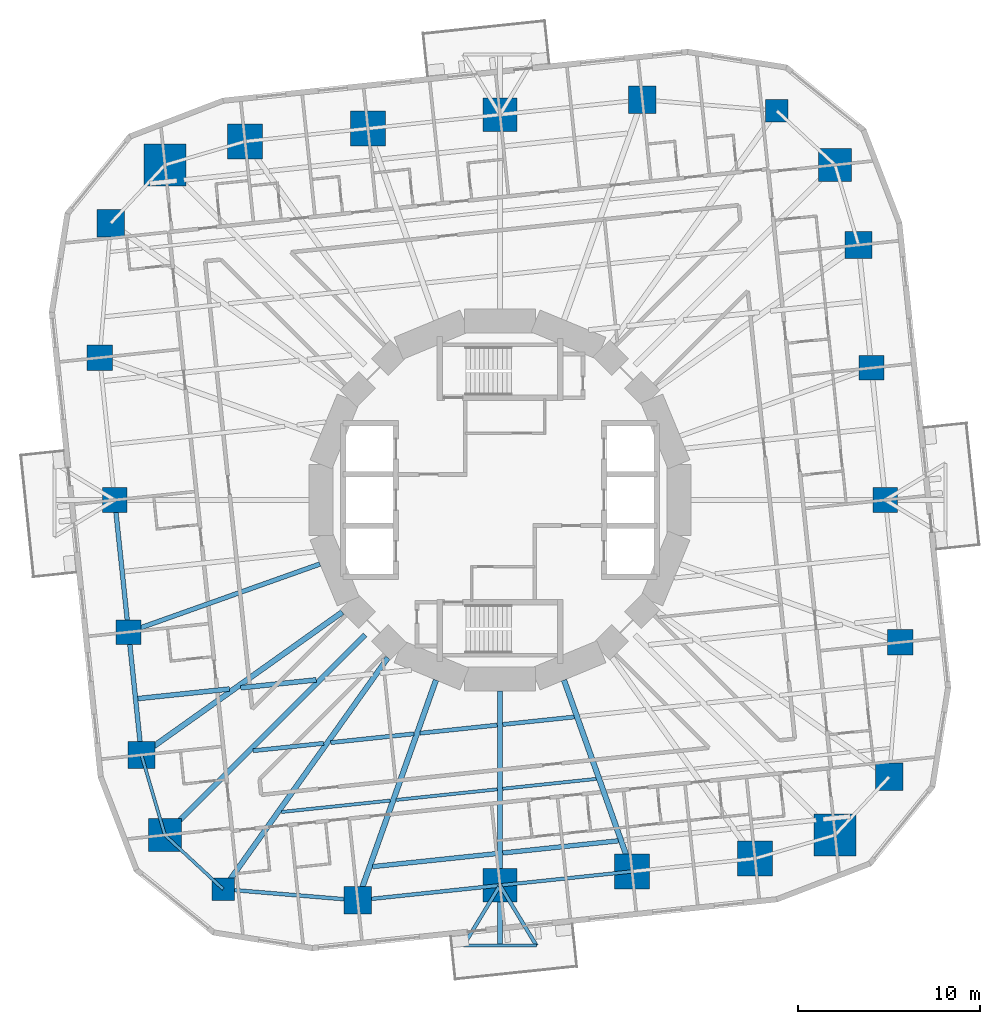
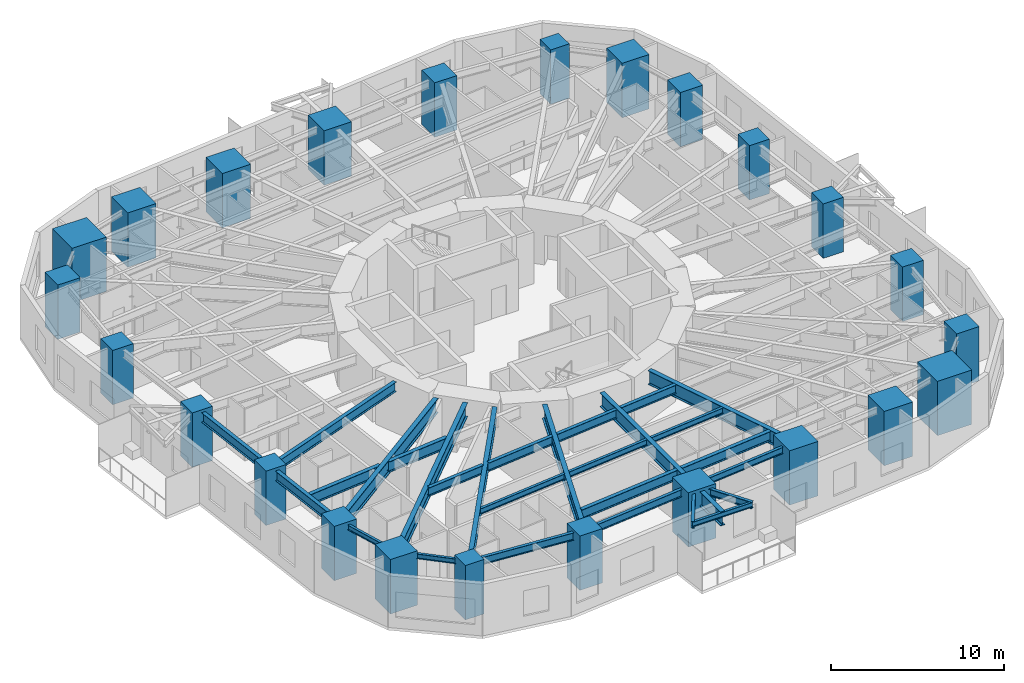
# One storey, part 1 of 13: 28 beams, 24 columns.
"""IFC4 building model written with IfcOpenShell, lengths in metres."""

from ifc_helpers import new_model, si_unit, direction, frame, origin, origin_2d, place, context, subcontext, project, spatial, rectangle, i_section, extrude, material, material_profile, profile_set, type_object, element, save


model = new_model("IFC4")

# Units and contexts
model_context = context("Model", 3, precision=1e-05, world=origin(), true_north=direction((0.0, 1.0)))
body_context = subcontext(model_context, "Body", "Model", "MODEL_VIEW")
ifc_project = project(units=[si_unit("LENGTHUNIT", "METRE"), si_unit("AREAUNIT", "SQUARE_METRE"), si_unit("VOLUMEUNIT", "CUBIC_METRE"), si_unit("PLANEANGLEUNIT", "RADIAN"), si_unit("MASSUNIT", "GRAM", prefix="KILO")], contexts=[model_context])

# Site, building, storey
site_placement = place(None, origin())
site = spatial("IfcSite", under=ifc_project, at=site_placement, CompositionType="ELEMENT")
building_placement = place(site_placement, origin())
building = spatial("IfcBuilding", under=site, at=building_placement, Name="Nakasero Lantern House", CompositionType="ELEMENT")
storey_placement = place(building_placement, frame((0.0, 0.0, 79.75)))
storey = spatial("IfcBuildingStorey", under=building, at=storey_placement, Name="L19", CompositionType="ELEMENT", Elevation=79.75)

# Columns
ifc_material_1 = material(Name="Concrete C50/60", Category="concrete")
ifc_material_profile_1 = material_profile(ifc_material_1, rectangle(XDim=1.800048828125, YDim=1.800048828125, at=origin_2d()), Name="RC 1800x1800")
ifc_profile_set_1 = profile_set([ifc_material_profile_1], Name="Concrete C50/60")
column_type_1 = type_object("IfcColumnType", Name="Mega column RC 1800x1800 C50/60", PredefinedType="COLUMN", material=ifc_profile_set_1)
for number, where, z_axis, x_axis, name in (
    (1, (18.359375, 18.359375, 0.0), (0.0, 0.0, 1.0), (1.0, 0.0, 0.0), "Column B2-C06 L19"),
    (2, (-18.359375, -18.359375, 0.0), (0.0, 0.0, 1.0), (1.0, 0.0, 0.0), "Column B2-C18 L19"),
):
    element("IfcColumn", number, at=place(storey_placement, frame(where, z_axis=z_axis, x_axis=x_axis)), inside=storey, type_object=column_type_1, Name=name, PredefinedType="COLUMN", context=body_context, shape_type="SweptSolid", body=[
        extrude(rectangle(XDim=1.800048828125, YDim=1.800048828125, at=origin_2d()), origin(), (0.0, 0.0, 1.0), 3.85009765625),
    ])
ifc_material_2 = material(Name="Concrete C50/60", Category="concrete")
ifc_material_profile_2 = material_profile(ifc_material_2, rectangle(XDim=2.300048828125, YDim=2.300048828125, at=origin_2d()), Name="RC 2300x2300")
ifc_profile_set_2 = profile_set([ifc_material_profile_2], Name="Concrete C50/60")
column_type_2 = type_object("IfcColumnType", Name="Mega column RC 2300x2300 C50/60", PredefinedType="COLUMN", material=ifc_profile_set_2)
for number, where, z_axis, x_axis, name in (
    (3, (-18.359375, 18.359375, 0.0), (0.0, 0.0, 1.0), (1.0, 0.0, 0.0), "Column B2-C12 L19"),
    (4, (18.359375, -18.359375, 0.0), (0.0, 0.0, 1.0), (1.0, 0.0, 0.0), "Column B2-C24 L19"),
):
    element("IfcColumn", number, at=place(storey_placement, frame(where, z_axis=z_axis, x_axis=x_axis)), inside=storey, type_object=column_type_2, Name=name, PredefinedType="COLUMN", context=body_context, shape_type="SweptSolid", body=[
        extrude(rectangle(XDim=2.300048828125, YDim=2.300048828125, at=origin_2d()), origin(), (0.0, 0.0, 1.0), 3.85009765625),
    ])
ifc_material_3 = material(Name="Concrete C50/60", Category="concrete")
ifc_material_profile_3 = material_profile(ifc_material_3, rectangle(XDim=1.25, YDim=1.25, at=origin_2d()), Name="RC 1250x1250")
ifc_profile_set_3 = profile_set([ifc_material_profile_3], Name="Concrete C50/60")
column_type_3 = type_object("IfcColumnType", Name="Ring column RC 1250x1250 C50/60", PredefinedType="COLUMN", material=ifc_profile_set_3)
for number, where, z_axis, x_axis, name in (
    (5, (15.16650390625, 21.327880859375, 0.0), (0.0, 0.0, 1.0), (1.0, 0.0, 0.0), "Column B2-C07 L19"),
    (6, (-15.16650390625, -21.327880859375, 0.0), (0.0, 0.0, 1.0), (1.0, 0.0, 0.0), "Column B2-C19 L19"),
):
    element("IfcColumn", number, at=place(storey_placement, frame(where, z_axis=z_axis, x_axis=x_axis)), inside=storey, type_object=column_type_3, Name=name, PredefinedType="COLUMN", context=body_context, shape_type="SweptSolid", body=[
        extrude(rectangle(XDim=1.25, YDim=1.25, at=origin_2d()), origin(), (0.0, 0.0, 1.0), 3.85009765625),
    ])
ifc_material_4 = material(Name="Concrete C50/60", Category="concrete")
ifc_material_profile_4 = material_profile(ifc_material_4, rectangle(XDim=1.35009765625, YDim=1.35009765625, at=origin_2d()), Name="RC 1350x1350")
ifc_profile_set_4 = profile_set([ifc_material_profile_4], Name="Concrete C50/60")
column_type_4 = type_object("IfcColumnType", Name="Ring column RC 1350x1350 C50/60", PredefinedType="COLUMN", material=ifc_profile_set_4)
for number, where, z_axis, x_axis, name in (
    (7, (21.11572265625, 0.0, 0.0), (0.0, 0.0, 1.0), (1.0, 0.0, 0.0), "Column B2-C03 L19"),
    (8, (20.35498046875, 7.2373046875, 0.0), (0.0, 0.0, 1.0), (1.0, 0.0, 0.0), "Column B2-C04 L19"),
    (9, (-21.11572265625, 0.0, 0.0), (0.0, 0.0, 1.0), (1.0, 0.0, 0.0), "Column B2-C15 L19"),
    (10, (-20.35498046875, -7.2373046875, 0.0), (0.0, 0.0, 1.0), (1.0, 0.0, 0.0), "Column B2-C16 L19"),
):
    element("IfcColumn", number, at=place(storey_placement, frame(where, z_axis=z_axis, x_axis=x_axis)), inside=storey, type_object=column_type_4, Name=name, PredefinedType="COLUMN", context=body_context, shape_type="SweptSolid", body=[
        extrude(rectangle(XDim=1.35009765625, YDim=1.35009765625, at=origin_2d()), origin(), (0.0, 0.0, 1.0), 3.85009765625),
    ])
ifc_material_5 = material(Name="Concrete C50/60", Category="concrete")
ifc_material_profile_5 = material_profile(ifc_material_5, rectangle(XDim=1.39990234375, YDim=1.39990234375, at=origin_2d()), Name="RC 1400x1400")
ifc_profile_set_5 = profile_set([ifc_material_profile_5], Name="Concrete C50/60")
column_type_5 = type_object("IfcColumnType", Name="Ring column RC 1400x1400 C50/60", PredefinedType="COLUMN", material=ifc_profile_set_5)
for number, where, z_axis, x_axis, name in (
    (11, (21.935302734375, -7.79931640625, 0.0), (0.0, 0.0, 1.0), (1.0, 0.0, 0.0), "Column B2-C02 L19"),
    (12, (-21.935302734375, 7.79931640625, 0.0), (0.0, 0.0, 1.0), (1.0, 0.0, 0.0), "Column B2-C14 L19"),
):
    element("IfcColumn", number, at=place(storey_placement, frame(where, z_axis=z_axis, x_axis=x_axis)), inside=storey, type_object=column_type_5, Name=name, PredefinedType="COLUMN", context=body_context, shape_type="SweptSolid", body=[
        extrude(rectangle(XDim=1.39990234375, YDim=1.39990234375, at=origin_2d()), origin(), (0.0, 0.0, 1.0), 3.85009765625),
    ])
ifc_material_6 = material(Name="Concrete C50/60", Category="concrete")
ifc_material_profile_6 = material_profile(ifc_material_6, rectangle(XDim=1.5, YDim=1.5, at=origin_2d()), Name="RC 1500x1500")
ifc_profile_set_6 = profile_set([ifc_material_profile_6], Name="Concrete C50/60")
column_type_6 = type_object("IfcColumnType", Name="Ring column RC 1500x1500 C50/60", PredefinedType="COLUMN", material=ifc_profile_set_6)
for number, where, z_axis, x_axis, name in (
    (13, (21.327880859375, -15.16650390625, 0.0), (0.0, 0.0, 1.0), (1.0, 0.0, 0.0), "Column B2-C01 L19"),
    (14, (19.647216796875, 13.971435546875, 0.0), (0.0, 0.0, 1.0), (1.0, 0.0, 0.0), "Column B2-C05 L19"),
    (15, (7.79931640625, 21.935302734375, 0.0), (0.0, 0.0, 1.0), (1.0, 0.0, 0.0), "Column B2-C08 L19"),
    (16, (-21.327880859375, 15.16650390625, 0.0), (0.0, 0.0, 1.0), (1.0, 0.0, 0.0), "Column B2-C13 L19"),
    (17, (-19.647216796875, -13.971435546875, 0.0), (0.0, 0.0, 1.0), (1.0, 0.0, 0.0), "Column B2-C17 L19"),
    (18, (-7.79931640625, -21.935302734375, 0.0), (0.0, 0.0, 1.0), (1.0, 0.0, 0.0), "Column B2-C20 L19"),
):
    element("IfcColumn", number, at=place(storey_placement, frame(where, z_axis=z_axis, x_axis=x_axis)), inside=storey, type_object=column_type_6, Name=name, PredefinedType="COLUMN", context=body_context, shape_type="SweptSolid", body=[
        extrude(rectangle(XDim=1.5, YDim=1.5, at=origin_2d()), origin(), (0.0, 0.0, 1.0), 3.85009765625),
    ])
ifc_material_7 = material(Name="Concrete C50/60", Category="concrete")
ifc_material_profile_7 = material_profile(ifc_material_7, rectangle(XDim=1.85009765625, YDim=1.85009765625, at=origin_2d()), Name="RC 1850x1850")
ifc_profile_set_7 = profile_set([ifc_material_profile_7], Name="Concrete C50/60")
column_type_7 = type_object("IfcColumnType", Name="Ring column RC 1850x1850 C50/60", PredefinedType="COLUMN", material=ifc_profile_set_7)
for number, where, z_axis, x_axis, name in (
    (19, (0.0, 21.11572265625, 0.0), (0.0, 0.0, 1.0), (1.0, 0.0, 0.0), "Column B2-C09 L19"),
    (20, (0.0, -21.11572265625, 0.0), (0.0, 0.0, 1.0), (1.0, 0.0, 0.0), "Column B2-C21 L19"),
):
    element("IfcColumn", number, at=place(storey_placement, frame(where, z_axis=z_axis, x_axis=x_axis)), inside=storey, type_object=column_type_7, Name=name, PredefinedType="COLUMN", context=body_context, shape_type="SweptSolid", body=[
        extrude(rectangle(XDim=1.85009765625, YDim=1.85009765625, at=origin_2d()), origin(), (0.0, 0.0, 1.0), 3.85009765625),
    ])
ifc_material_8 = material(Name="Concrete C50/60", Category="concrete")
ifc_material_profile_8 = material_profile(ifc_material_8, rectangle(XDim=1.89990234375, YDim=1.89990234375, at=origin_2d()), Name="RC 1900x1900")
ifc_profile_set_8 = profile_set([ifc_material_profile_8], Name="Concrete C50/60")
column_type_8 = type_object("IfcColumnType", Name="Ring column RC 1900x1900 C50/60", PredefinedType="COLUMN", material=ifc_profile_set_8)
for number, where, z_axis, x_axis, name in (
    (21, (-7.2373046875, 20.35498046875, 0.0), (0.0, 0.0, 1.0), (1.0, 0.0, 0.0), "Column B2-C10 L19"),
    (22, (-13.971435546875, 19.647216796875, 0.0), (0.0, 0.0, 1.0), (1.0, 0.0, 0.0), "Column B2-C11 L19"),
    (23, (7.2373046875, -20.35498046875, 0.0), (0.0, 0.0, 1.0), (1.0, 0.0, 0.0), "Column B2-C22 L19"),
    (24, (13.971435546875, -19.647216796875, 0.0), (0.0, 0.0, 1.0), (1.0, 0.0, 0.0), "Column B2-C23 L19"),
):
    element("IfcColumn", number, at=place(storey_placement, frame(where, z_axis=z_axis, x_axis=x_axis)), inside=storey, type_object=column_type_8, Name=name, PredefinedType="COLUMN", context=body_context, shape_type="SweptSolid", body=[
        extrude(rectangle(XDim=1.89990234375, YDim=1.89990234375, at=origin_2d()), origin(), (0.0, 0.0, 1.0), 3.85009765625),
    ])

# Beams
ifc_material_9 = material(Name="Steel S355", Category="steel")
ifc_material_profile_9 = material_profile(ifc_material_9, i_section(OverallWidth=0.199462890625, OverallDepth=0.491943359375, WebThickness=0.01806640625, FlangeThickness=0.031982421875, FilletRadius=0.01025390625, at=origin_2d()), Name="UB 457x191x161")
ifc_profile_set_9 = profile_set([ifc_material_profile_9], Name="Steel S355")
beam_type_1 = type_object("IfcBeamType", Name="Balcony splay beam UB 457x191x161", PredefinedType="BEAM", material=ifc_profile_set_9)
for number, where, z_axis, x_axis, name in (
    (25, (0.0, -21.11572265625, 3.404052734375), (0.518296107317, -0.855201230787, 0.0), (0.855201230787, 0.518296107317, 0.0), "Balcony splay beam L20 B2-C21A"),
    (26, (0.0, -21.11572265625, 3.404052734375), (-0.518296107317, -0.855201230787, 0.0), (0.855201230787, -0.518296107317, 0.0), "Balcony splay beam L20 B2-C21B"),
):
    element("IfcBeam", number, at=place(storey_placement, frame(where, z_axis=z_axis, x_axis=x_axis)), inside=storey, type_object=beam_type_1, Name=name, PredefinedType="BEAM", context=body_context, shape_type="SweptSolid", body=[
        extrude(i_section(OverallWidth=0.199462890625, OverallDepth=0.491943359375, WebThickness=0.01806640625, FlangeThickness=0.031982421875, FilletRadius=0.01025390625, at=origin_2d()), origin(), (0.0, 0.0, 1.0), 3.85888671875),
    ])
ifc_material_10 = material(Name="Steel S355", Category="steel")
ifc_material_profile_10 = material_profile(ifc_material_10, i_section(OverallWidth=0.17138671875, OverallDepth=0.35498046875, WebThickness=0.00732421875, FlangeThickness=0.011474609375, FilletRadius=0.01025390625, at=origin_2d()), Name="UB 356x171x51")
ifc_profile_set_10 = profile_set([ifc_material_profile_10], Name="Steel S355")
beam_type_2 = type_object("IfcBeamType", Name="Balcony tie beam UB 356x171x51", PredefinedType="BEAM", material=ifc_profile_set_10)
beam_1_placement = place(storey_placement, frame((2.0, -24.415771484375, 3.472412109375), z_axis=(-1.0, 0.0, 0.0), x_axis=(0.0, -1.0, 0.0)))
element("IfcBeam", 27, at=beam_1_placement, inside=storey, type_object=beam_type_2, Name="Balcony tie beam L20 B2-C21", PredefinedType="BEAM", context=body_context, shape_type="SweptSolid", body=[
    extrude(i_section(OverallWidth=0.17138671875, OverallDepth=0.35498046875, WebThickness=0.00732421875, FlangeThickness=0.011474609375, FilletRadius=0.01025390625, at=origin_2d()), origin(), (0.0, 0.0, 1.0), 4.0),
])
ifc_material_11 = material(Name="Steel S355", Category="steel")
ifc_material_profile_11 = material_profile(ifc_material_11, i_section(OverallWidth=0.177978515625, OverallDepth=0.406494140625, WebThickness=0.0078125, FlangeThickness=0.0126953125, FilletRadius=0.01025390625, at=origin_2d()), Name="UB 406x178x60")
ifc_profile_set_11 = profile_set([ifc_material_profile_11], Name="Steel S355")
beam_type_3 = type_object("IfcBeamType", Name="Infill beam UB 406x178x60", PredefinedType="JOIST", material=ifc_profile_set_11)
beam_2_placement = place(storey_placement, frame((-11.9775390625, -17.095703125, 3.44677734375), z_axis=(0.994521729164, 0.104530044579, 0.0), x_axis=(-0.104530044579, 0.994521729164, 0.0)))
element("IfcBeam", 28, at=beam_2_placement, inside=storey, type_object=beam_type_3, Name="Infill beam L20 03.1", PredefinedType="JOIST", context=body_context, shape_type="SweptSolid", body=[
    extrude(i_section(OverallWidth=0.177978515625, OverallDepth=0.406494140625, WebThickness=0.0078125, FlangeThickness=0.0126953125, FilletRadius=0.01025390625, at=origin_2d()), origin(), (0.0, 0.0, 1.0), 5.99560546875),
])
beam_3_placement = place(storey_placement, frame((-5.68408203125, -16.43408203125, 3.44677734375), z_axis=(0.994524188375, 0.104506644464, 0.0), x_axis=(-0.104506644464, 0.994524188375, 0.0)))
element("IfcBeam", 29, at=beam_3_placement, inside=storey, type_object=beam_type_3, Name="Infill beam L20 03.2", PredefinedType="JOIST", context=body_context, shape_type="SweptSolid", body=[
    extrude(i_section(OverallWidth=0.177978515625, OverallDepth=0.406494140625, WebThickness=0.0078125, FlangeThickness=0.0126953125, FilletRadius=0.01025390625, at=origin_2d()), origin(), (0.0, 0.0, 1.0), 5.564697265625),
])
beam_4_placement = place(storey_placement, frame((0.14990234375, -15.821044921875, 3.44677734375), z_axis=(0.994522574566, 0.104522000929, 0.0), x_axis=(-0.104522000929, 0.994522574566, 0.0)))
element("IfcBeam", 30, at=beam_4_placement, inside=storey, type_object=beam_type_3, Name="Infill beam L20 03.3", PredefinedType="JOIST", context=body_context, shape_type="SweptSolid", body=[
    extrude(i_section(OverallWidth=0.177978515625, OverallDepth=0.406494140625, WebThickness=0.0078125, FlangeThickness=0.0126953125, FilletRadius=0.01025390625, at=origin_2d()), origin(), (0.0, 0.0, 1.0), 5.15283203125),
])
ifc_material_12 = material(Name="Steel S355", Category="steel")
ifc_material_profile_12 = material_profile(ifc_material_12, i_section(OverallWidth=0.22900390625, OverallDepth=0.6123046875, WebThickness=0.011962890625, FlangeThickness=0.01953125, FilletRadius=0.0126953125, at=origin_2d()), Name="UB 610x229x125")
ifc_profile_set_12 = profile_set([ifc_material_profile_12], Name="Steel S355")
beam_type_4 = type_object("IfcBeamType", Name="Infill beam UB 610x229x125", PredefinedType="JOIST", material=ifc_profile_set_12)
beam_5_placement = place(storey_placement, frame((-13.527099609375, -13.7392578125, 3.343994140625), z_axis=(0.99451886442, 0.10455729679, 0.0), x_axis=(-0.10455729679, 0.99451886442, 0.0)))
element("IfcBeam", 31, at=beam_5_placement, inside=storey, type_object=beam_type_4, Name="Infill beam L20 04.1", PredefinedType="JOIST", context=body_context, shape_type="SweptSolid", body=[
    extrude(i_section(OverallWidth=0.22900390625, OverallDepth=0.6123046875, WebThickness=0.011962890625, FlangeThickness=0.01953125, FilletRadius=0.0126953125, at=origin_2d()), origin(), (0.0, 0.0, 1.0), 3.8876953125),
])
beam_6_placement = place(storey_placement, frame((-9.272705078125, -13.2919921875, 3.343994140625), z_axis=(0.994522952874, 0.104518401282, 0.0), x_axis=(-0.104518401282, 0.994522952874, 0.0)))
element("IfcBeam", 32, at=beam_6_placement, inside=storey, type_object=beam_type_4, Name="Infill beam L20 04.2", PredefinedType="JOIST", context=body_context, shape_type="SweptSolid", body=[
    extrude(i_section(OverallWidth=0.22900390625, OverallDepth=0.6123046875, WebThickness=0.011962890625, FlangeThickness=0.01953125, FilletRadius=0.0126953125, at=origin_2d()), origin(), (0.0, 0.0, 1.0), 4.5830078125),
])
beam_7_placement = place(storey_placement, frame((-4.38427734375, -12.7783203125, 3.343994140625), z_axis=(0.994521465317, 0.104532554847, 0.0), x_axis=(-0.104532554847, 0.994521465317, 0.0)))
element("IfcBeam", 33, at=beam_7_placement, inside=storey, type_object=beam_type_4, Name="Infill beam L20 04.3", PredefinedType="JOIST", context=body_context, shape_type="SweptSolid", body=[
    extrude(i_section(OverallWidth=0.22900390625, OverallDepth=0.6123046875, WebThickness=0.011962890625, FlangeThickness=0.01953125, FilletRadius=0.0126953125, at=origin_2d()), origin(), (0.0, 0.0, 1.0), 4.2578125),
])
beam_8_placement = place(storey_placement, frame((0.14990234375, -12.3017578125, 3.343994140625), z_axis=(0.994521399206, 0.104533183829, 0.0), x_axis=(-0.104533183829, 0.994521399206, 0.0)))
element("IfcBeam", 34, at=beam_8_placement, inside=storey, type_object=beam_type_4, Name="Infill beam L20 04.4", PredefinedType="JOIST", context=body_context, shape_type="SweptSolid", body=[
    extrude(i_section(OverallWidth=0.22900390625, OverallDepth=0.6123046875, WebThickness=0.011962890625, FlangeThickness=0.01953125, FilletRadius=0.0126953125, at=origin_2d()), origin(), (0.0, 0.0, 1.0), 3.93994140625),
])
ifc_material_13 = material(Name="Steel S355", Category="steel")
ifc_material_profile_13 = material_profile(ifc_material_13, i_section(OverallWidth=0.255859375, OverallDepth=0.69287109375, WebThickness=0.014404296875, FlangeThickness=0.023681640625, FilletRadius=0.01513671875, at=origin_2d()), Name="UB 686x254x170")
ifc_profile_set_13 = profile_set([ifc_material_profile_13], Name="Steel S355")
beam_type_5 = type_object("IfcBeamType", Name="Infill beam UB 686x254x170", PredefinedType="JOIST", material=ifc_profile_set_13)
beam_9_placement = place(storey_placement, frame((-6.98388671875, -20.090087890625, 3.303466796875), z_axis=(0.994522182542, 0.10452573096, 0.0), x_axis=(-0.10452573096, 0.994522182542, 0.0)))
element("IfcBeam", 35, at=beam_9_placement, inside=storey, type_object=beam_type_5, Name="Infill beam L20 02.1", PredefinedType="JOIST", context=body_context, shape_type="SweptSolid", body=[
    extrude(i_section(OverallWidth=0.255859375, OverallDepth=0.69287109375, WebThickness=0.014404296875, FlangeThickness=0.023681640625, FilletRadius=0.01513671875, at=origin_2d()), origin(), (0.0, 0.0, 1.0), 6.87158203125),
])
beam_10_placement = place(storey_placement, frame((0.14990234375, -19.34033203125, 3.303466796875), z_axis=(0.994519733917, 0.104549026056, 0.0), x_axis=(-0.104549026056, 0.994519733917, 0.0)))
element("IfcBeam", 36, at=beam_10_placement, inside=storey, type_object=beam_type_5, Name="Infill beam L20 02.2", PredefinedType="JOIST", context=body_context, shape_type="SweptSolid", body=[
    extrude(i_section(OverallWidth=0.255859375, OverallDepth=0.69287109375, WebThickness=0.014404296875, FlangeThickness=0.023681640625, FilletRadius=0.01513671875, at=origin_2d()), origin(), (0.0, 0.0, 1.0), 6.36572265625),
])
ifc_material_14 = material(Name="Steel S355", Category="steel")
ifc_material_profile_14 = material_profile(ifc_material_14, i_section(OverallWidth=0.2666015625, OverallDepth=0.76220703125, WebThickness=0.014404296875, FlangeThickness=0.021484375, FilletRadius=0.0166015625, at=origin_2d()), Name="UB 762x267x173")
ifc_profile_set_14 = profile_set([ifc_material_profile_14], Name="Steel S355")
beam_type_6 = type_object("IfcBeamType", Name="Infill beam UB 762x267x173", PredefinedType="JOIST", material=ifc_profile_set_14)
beam_11_placement = place(storey_placement, frame((-19.843017578125, -10.8837890625, 3.268798828125), z_axis=(0.994522938326, 0.104518539716, 0.0), x_axis=(-0.104518539716, 0.994522938326, 0.0)))
element("IfcBeam", 37, at=beam_11_placement, inside=storey, type_object=beam_type_6, Name="Infill beam L20 05.1", PredefinedType="JOIST", context=body_context, shape_type="SweptSolid", body=[
    extrude(i_section(OverallWidth=0.2666015625, OverallDepth=0.76220703125, WebThickness=0.014404296875, FlangeThickness=0.021484375, FilletRadius=0.0166015625, at=origin_2d()), origin(), (0.0, 0.0, 1.0), 5.04541015625),
])
beam_12_placement = place(storey_placement, frame((-14.211669921875, -10.2919921875, 3.268798828125), z_axis=(0.994519573184, 0.104550555012, 0.0), x_axis=(-0.104550555012, 0.994519573184, 0.0)))
element("IfcBeam", 38, at=beam_12_placement, inside=storey, type_object=beam_type_6, Name="Infill beam L20 05.2", PredefinedType="JOIST", context=body_context, shape_type="SweptSolid", body=[
    extrude(i_section(OverallWidth=0.2666015625, OverallDepth=0.76220703125, WebThickness=0.014404296875, FlangeThickness=0.021484375, FilletRadius=0.0166015625, at=origin_2d()), origin(), (0.0, 0.0, 1.0), 4.166015625),
])
ifc_material_15 = material(Name="Steel S355", Category="steel")
ifc_material_profile_15 = material_profile(ifc_material_15, i_section(OverallWidth=0.300048828125, OverallDepth=0.97998046875, WebThickness=0.0166015625, FlangeThickness=0.02587890625, FilletRadius=0.030029296875, at=origin_2d()), Name="UB 1016x305x249")
ifc_profile_set_15 = profile_set([ifc_material_profile_15], Name="Steel S355")
beam_type_7 = type_object("IfcBeamType", Name="Primary beam UB 1016x305x249, span 12 to 15 m", PredefinedType="BEAM", material=ifc_profile_set_15)
beam_13_placement = place(storey_placement, frame((-7.79931640625, -21.935302734375, 3.159912109375), z_axis=(0.335017564047, 0.942211882636, 0.0), x_axis=(-0.942211882636, 0.335017564047, 0.0)))
element("IfcBeam", 39, at=beam_13_placement, inside=storey, type_object=beam_type_7, Name="Primary beam L20 B2-C20", PredefinedType="BEAM", context=body_context, shape_type="SweptSolid", body=[
    extrude(i_section(OverallWidth=0.300048828125, OverallDepth=0.97998046875, WebThickness=0.0166015625, FlangeThickness=0.02587890625, FilletRadius=0.030029296875, at=origin_2d()), origin(), (0.0, 0.0, 1.0), 12.80908203125),
])
ifc_material_16 = material(Name="Steel S355", Category="steel")
ifc_material_profile_16 = material_profile(ifc_material_16, i_section(OverallWidth=0.300048828125, OverallDepth=0.97998046875, WebThickness=0.0166015625, FlangeThickness=0.02587890625, FilletRadius=0.030029296875, at=origin_2d()), Name="UB 1016x305x249")
ifc_profile_set_16 = profile_set([ifc_material_profile_16], Name="Steel S355")
beam_type_8 = type_object("IfcBeamType", Name="Primary beam UB 1016x305x249, span 9 to 12 m", PredefinedType="BEAM", material=ifc_profile_set_16)
beam_14_placement = place(storey_placement, frame((7.2373046875, -20.35498046875, 3.159912109375), z_axis=(-0.335009234979, 0.942214844119, 0.0), x_axis=(-0.942214844119, -0.335009234979, 0.0)))
element("IfcBeam", 40, at=beam_14_placement, inside=storey, type_object=beam_type_8, Name="Primary beam L20 B2-C22", PredefinedType="BEAM", context=body_context, shape_type="SweptSolid", body=[
    extrude(i_section(OverallWidth=0.300048828125, OverallDepth=0.97998046875, WebThickness=0.0166015625, FlangeThickness=0.02587890625, FilletRadius=0.030029296875, at=origin_2d()), origin(), (0.0, 0.0, 1.0), 11.1318359375),
])
ifc_material_17 = material(Name="Steel S355", Category="steel")
ifc_material_profile_17 = material_profile(ifc_material_17, i_section(OverallWidth=0.300048828125, OverallDepth=0.989990234375, WebThickness=0.0166015625, FlangeThickness=0.031005859375, FilletRadius=0.030029296875, at=origin_2d()), Name="UB 1016x305x272")
ifc_profile_set_17 = profile_set([ifc_material_profile_17], Name="Steel S355")
beam_type_9 = type_object("IfcBeamType", Name="Primary beam UB 1016x305x272, span over 15 m", PredefinedType="BEAM", material=ifc_profile_set_17)
beam_15_placement = place(storey_placement, frame((-18.359375, -18.359375, 3.155029296875), z_axis=(0.707106781187, 0.707106781187, 0.0), x_axis=(-0.707106781187, 0.707106781187, 0.0)))
element("IfcBeam", 41, at=beam_15_placement, inside=storey, type_object=beam_type_9, Name="Primary beam L20 B2-C18", PredefinedType="BEAM", context=body_context, shape_type="SweptSolid", body=[
    extrude(i_section(OverallWidth=0.300048828125, OverallDepth=0.989990234375, WebThickness=0.0166015625, FlangeThickness=0.031005859375, FilletRadius=0.030029296875, at=origin_2d()), origin(), (0.0, 0.0, 1.0), 15.50634765625),
])
ifc_material_18 = material(Name="Steel S355", Category="steel")
ifc_material_profile_18 = material_profile(ifc_material_18, i_section(OverallWidth=0.300048828125, OverallDepth=1.0, WebThickness=0.01904296875, FlangeThickness=0.035888671875, FilletRadius=0.030029296875, at=origin_2d()), Name="UB 1016x305x314")
ifc_profile_set_18 = profile_set([ifc_material_profile_18], Name="Steel S355")
beam_type_10 = type_object("IfcBeamType", Name="Primary beam UB 1016x305x314, span 9 to 12 m", PredefinedType="BEAM", material=ifc_profile_set_18)
beam_16_placement = place(storey_placement, frame((0.0, -24.415771484375, 3.150146484375), z_axis=(0.0, 1.0, 0.0), x_axis=(-1.0, 0.0, 0.0)))
element("IfcBeam", 42, at=beam_16_placement, inside=storey, type_object=beam_type_10, Name="Primary beam L20 B2-C21", PredefinedType="BEAM", context=body_context, shape_type="SweptSolid", body=[
    extrude(i_section(OverallWidth=0.300048828125, OverallDepth=1.0, WebThickness=0.01904296875, FlangeThickness=0.035888671875, FilletRadius=0.030029296875, at=origin_2d()), origin(), (0.0, 0.0, 1.0), 13.9580078125),
])
ifc_material_19 = material(Name="Steel S355", Category="steel")
ifc_material_profile_19 = material_profile(ifc_material_19, i_section(OverallWidth=0.302978515625, OverallDepth=1.015869140625, WebThickness=0.0244140625, FlangeThickness=0.0439453125, FilletRadius=0.030029296875, at=origin_2d()), Name="UB 1016x305x393")
ifc_profile_set_19 = profile_set([ifc_material_profile_19], Name="Steel S355")
beam_type_11 = type_object("IfcBeamType", Name="Primary beam UB 1016x305x393, span 12 to 15 m", PredefinedType="BEAM", material=ifc_profile_set_19)
beam_17_placement = place(storey_placement, frame((-19.647216796875, -13.971435546875, 3.14208984375), z_axis=(0.814948492976, 0.579533393168, 0.0), x_axis=(-0.579533393168, 0.814948492976, 0.0)))
element("IfcBeam", 43, at=beam_17_placement, inside=storey, type_object=beam_type_11, Name="Primary beam L20 B2-C17", PredefinedType="BEAM", context=body_context, shape_type="SweptSolid", body=[
    extrude(i_section(OverallWidth=0.302978515625, OverallDepth=1.015869140625, WebThickness=0.0244140625, FlangeThickness=0.0439453125, FilletRadius=0.030029296875, at=origin_2d()), origin(), (0.0, 0.0, 1.0), 13.502685546875),
])
ifc_material_20 = material(Name="Steel S355", Category="steel")
ifc_material_profile_20 = material_profile(ifc_material_20, i_section(OverallWidth=0.253662109375, OverallDepth=0.68359375, WebThickness=0.012451171875, FlangeThickness=0.01904296875, FilletRadius=0.01513671875, at=origin_2d()), Name="UB 686x254x140")
ifc_profile_set_20 = profile_set([ifc_material_profile_20], Name="Steel S355")
beam_type_12 = type_object("IfcBeamType", Name="Primary beam UB 686x254x140, span 9 to 12 m", PredefinedType="BEAM", material=ifc_profile_set_20)
beam_18_placement = place(storey_placement, frame((-20.35498046875, -7.2373046875, 3.308349609375), z_axis=(0.942214844119, 0.335009234979, 0.0), x_axis=(-0.335009234979, 0.942214844119, 0.0)))
element("IfcBeam", 44, at=beam_18_placement, inside=storey, type_object=beam_type_12, Name="Primary beam L20 B2-C16", PredefinedType="BEAM", context=body_context, shape_type="SweptSolid", body=[
    extrude(i_section(OverallWidth=0.253662109375, OverallDepth=0.68359375, WebThickness=0.012451171875, FlangeThickness=0.01904296875, FilletRadius=0.01513671875, at=origin_2d()), origin(), (0.0, 0.0, 1.0), 11.1318359375),
])
ifc_material_21 = material(Name="Steel S355", Category="steel")
ifc_material_profile_21 = material_profile(ifc_material_21, i_section(OverallWidth=0.29248046875, OverallDepth=0.8408203125, WebThickness=0.0146484375, FlangeThickness=0.02685546875, FilletRadius=0.017822265625, at=origin_2d()), Name="UB 838x292x194")
ifc_profile_set_21 = profile_set([ifc_material_profile_21], Name="Steel S355")
beam_type_13 = type_object("IfcBeamType", Name="Primary beam UB 838x292x194, span over 15 m", PredefinedType="BEAM", material=ifc_profile_set_21)
beam_19_placement = place(storey_placement, frame((-15.16650390625, -21.327880859375, 3.229736328125), z_axis=(0.57952911085, 0.814951538239, 0.0), x_axis=(-0.814951538239, 0.57952911085, 0.0)))
element("IfcBeam", 45, at=beam_19_placement, inside=storey, type_object=beam_type_13, Name="Primary beam L20 B2-C19", PredefinedType="BEAM", context=body_context, shape_type="SweptSolid", body=[
    extrude(i_section(OverallWidth=0.29248046875, OverallDepth=0.8408203125, WebThickness=0.0146484375, FlangeThickness=0.02685546875, FilletRadius=0.017822265625, at=origin_2d()), origin(), (0.0, 0.0, 1.0), 15.564697265625),
])
ifc_material_22 = material(Name="Steel S355", Category="steel")
ifc_material_profile_22 = material_profile(ifc_material_22, i_section(OverallWidth=0.17138671875, OverallDepth=0.35498046875, WebThickness=0.00732421875, FlangeThickness=0.011474609375, FilletRadius=0.01025390625, at=origin_2d()), Name="UB 356x171x51")
ifc_profile_set_22 = profile_set([ifc_material_profile_22], Name="Steel S355")
beam_type_14 = type_object("IfcBeamType", Name="Ring beam UB 356x171x51", PredefinedType="BEAM", material=ifc_profile_set_22)
beam_20_placement = place(storey_placement, frame((-19.647216796875, -13.971435546875, 3.472412109375), z_axis=(0.28161710443, -0.959526865957, 0.0), x_axis=(0.959526865957, 0.28161710443, 0.0)))
element("IfcBeam", 46, at=beam_20_placement, inside=storey, type_object=beam_type_14, Name="Ring beam L20 B2-C17", PredefinedType="BEAM", context=body_context, shape_type="SweptSolid", body=[
    extrude(i_section(OverallWidth=0.17138671875, OverallDepth=0.35498046875, WebThickness=0.00732421875, FlangeThickness=0.011474609375, FilletRadius=0.01025390625, at=origin_2d()), origin(), (0.0, 0.0, 1.0), 4.572998046875),
])
beam_21_placement = place(storey_placement, frame((-18.359375, -18.359375, 3.472412109375), z_axis=(0.732370510336, -0.680906333933, 0.0), x_axis=(0.680906333933, 0.732370510336, 0.0)))
element("IfcBeam", 47, at=beam_21_placement, inside=storey, type_object=beam_type_14, Name="Ring beam L20 B2-C18", PredefinedType="BEAM", context=body_context, shape_type="SweptSolid", body=[
    extrude(i_section(OverallWidth=0.17138671875, OverallDepth=0.35498046875, WebThickness=0.00732421875, FlangeThickness=0.011474609375, FilletRadius=0.01025390625, at=origin_2d()), origin(), (0.0, 0.0, 1.0), 4.359619140625),
])
ifc_material_23 = material(Name="Steel S355", Category="steel")
ifc_material_profile_23 = material_profile(ifc_material_23, i_section(OverallWidth=0.19140625, OverallDepth=0.4599609375, WebThickness=0.010009765625, FlangeThickness=0.01611328125, FilletRadius=0.01025390625, at=origin_2d()), Name="UB 457x191x82")
ifc_profile_set_23 = profile_set([ifc_material_profile_23], Name="Steel S355")
beam_type_15 = type_object("IfcBeamType", Name="Ring beam UB 457x191x82", PredefinedType="BEAM", material=ifc_profile_set_23)
beam_22_placement = place(storey_placement, frame((0.0, -21.11572265625, 3.419921875), z_axis=(0.994520883746, 0.104538087767, 0.0), x_axis=(-0.104538087767, 0.994520883746, 0.0)))
element("IfcBeam", 48, at=beam_22_placement, inside=storey, type_object=beam_type_15, Name="Ring beam L20 B2-C21", PredefinedType="BEAM", context=body_context, shape_type="SweptSolid", body=[
    extrude(i_section(OverallWidth=0.19140625, OverallDepth=0.4599609375, WebThickness=0.010009765625, FlangeThickness=0.01611328125, FilletRadius=0.01025390625, at=origin_2d()), origin(), (0.0, 0.0, 1.0), 7.277099609375),
])
ifc_material_24 = material(Name="Steel S355", Category="steel")
ifc_material_profile_24 = material_profile(ifc_material_24, i_section(OverallWidth=0.208740234375, OverallDepth=0.5283203125, WebThickness=0.009521484375, FlangeThickness=0.01318359375, FilletRadius=0.0126953125, at=origin_2d()), Name="UB 533x210x82")
ifc_profile_set_24 = profile_set([ifc_material_profile_24], Name="Steel S355")
beam_type_16 = type_object("IfcBeamType", Name="Ring beam UB 533x210x82", PredefinedType="BEAM", material=ifc_profile_set_24)
beam_23_placement = place(storey_placement, frame((-15.16650390625, -21.327880859375, 3.3857421875), z_axis=(0.996618261264, -0.08217080574, 0.0), x_axis=(0.08217080574, 0.996618261264, 0.0)))
element("IfcBeam", 49, at=beam_23_placement, inside=storey, type_object=beam_type_16, Name="Ring beam L20 B2-C19", PredefinedType="BEAM", context=body_context, shape_type="SweptSolid", body=[
    extrude(i_section(OverallWidth=0.208740234375, OverallDepth=0.5283203125, WebThickness=0.009521484375, FlangeThickness=0.01318359375, FilletRadius=0.0126953125, at=origin_2d()), origin(), (0.0, 0.0, 1.0), 7.39208984375),
])
beam_24_placement = place(storey_placement, frame((-7.79931640625, -21.935302734375, 3.3857421875), z_axis=(0.994524030789, 0.104508144098, 0.0), x_axis=(-0.104508144098, 0.994524030789, 0.0)))
element("IfcBeam", 50, at=beam_24_placement, inside=storey, type_object=beam_type_16, Name="Ring beam L20 B2-C20", PredefinedType="BEAM", context=body_context, shape_type="SweptSolid", body=[
    extrude(i_section(OverallWidth=0.208740234375, OverallDepth=0.5283203125, WebThickness=0.009521484375, FlangeThickness=0.01318359375, FilletRadius=0.0126953125, at=origin_2d()), origin(), (0.0, 0.0, 1.0), 7.84228515625),
])
ifc_material_25 = material(Name="Steel S355", Category="steel")
ifc_material_profile_25 = material_profile(ifc_material_25, i_section(OverallWidth=0.253662109375, OverallDepth=0.68359375, WebThickness=0.012451171875, FlangeThickness=0.01904296875, FilletRadius=0.01513671875, at=origin_2d()), Name="UB 686x254x140")
ifc_profile_set_25 = profile_set([ifc_material_profile_25], Name="Steel S355")
beam_type_17 = type_object("IfcBeamType", Name="Ring beam UB 686x254x140", PredefinedType="BEAM", material=ifc_profile_set_25)
beam_25_placement = place(storey_placement, frame((-21.11572265625, 0.0, 3.308349609375), z_axis=(0.104538087767, -0.994520883746, 0.0), x_axis=(0.994520883746, 0.104538087767, 0.0)))
element("IfcBeam", 51, at=beam_25_placement, inside=storey, type_object=beam_type_17, Name="Ring beam L20 B2-C15", PredefinedType="BEAM", context=body_context, shape_type="SweptSolid", body=[
    extrude(i_section(OverallWidth=0.253662109375, OverallDepth=0.68359375, WebThickness=0.012451171875, FlangeThickness=0.01904296875, FilletRadius=0.01513671875, at=origin_2d()), origin(), (0.0, 0.0, 1.0), 7.277099609375),
])
ifc_material_26 = material(Name="Steel S355", Category="steel")
ifc_material_profile_26 = material_profile(ifc_material_26, i_section(OverallWidth=0.255859375, OverallDepth=0.69287109375, WebThickness=0.014404296875, FlangeThickness=0.023681640625, FilletRadius=0.01513671875, at=origin_2d()), Name="UB 686x254x170")
ifc_profile_set_26 = profile_set([ifc_material_profile_26], Name="Steel S355")
beam_type_18 = type_object("IfcBeamType", Name="Ring beam UB 686x254x170", PredefinedType="BEAM", material=ifc_profile_set_26)
beam_26_placement = place(storey_placement, frame((-20.35498046875, -7.2373046875, 3.303466796875), z_axis=(0.10452524939, -0.994522233155, 0.0), x_axis=(0.994522233155, 0.10452524939, 0.0)))
element("IfcBeam", 52, at=beam_26_placement, inside=storey, type_object=beam_type_18, Name="Ring beam L20 B2-C16", PredefinedType="BEAM", context=body_context, shape_type="SweptSolid", body=[
    extrude(i_section(OverallWidth=0.255859375, OverallDepth=0.69287109375, WebThickness=0.014404296875, FlangeThickness=0.023681640625, FilletRadius=0.01513671875, at=origin_2d()), origin(), (0.0, 0.0, 1.0), 6.771240234375),
])

save(model, "model.ifc")
